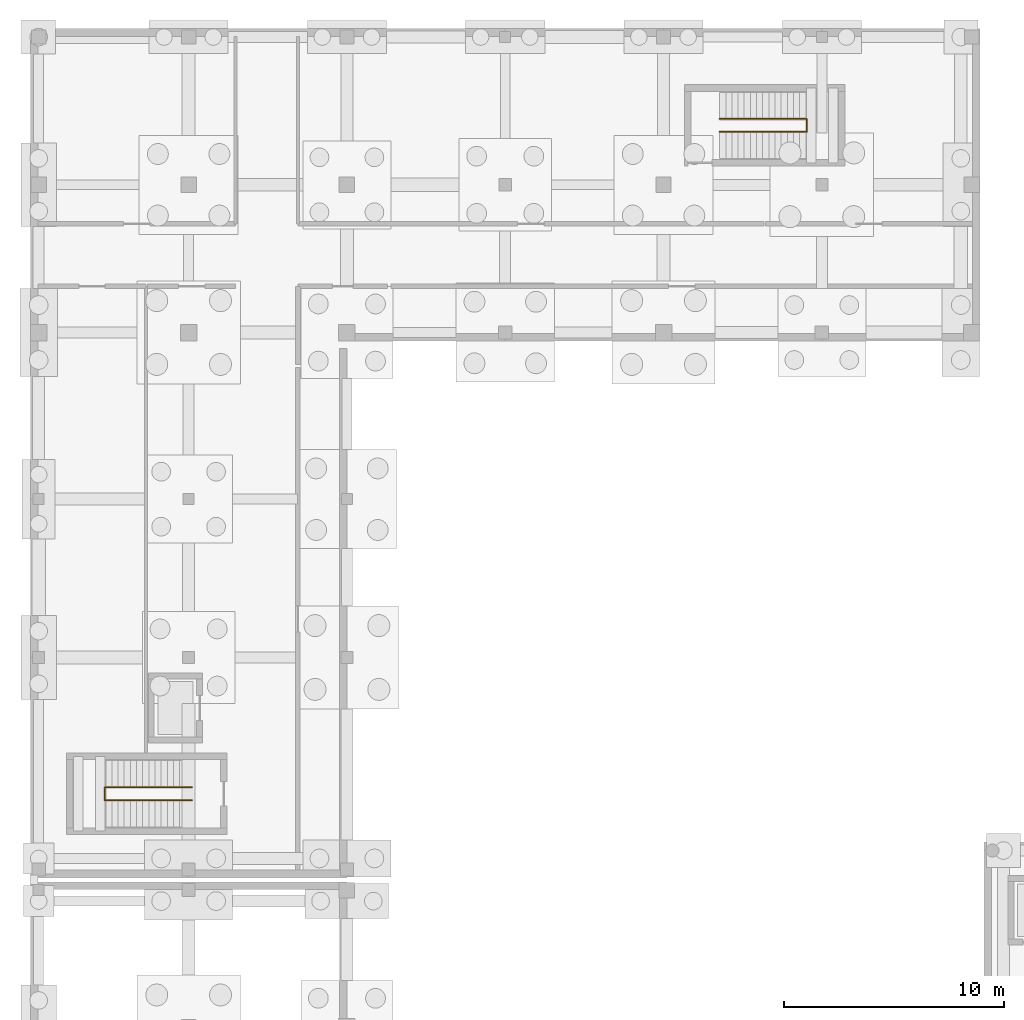
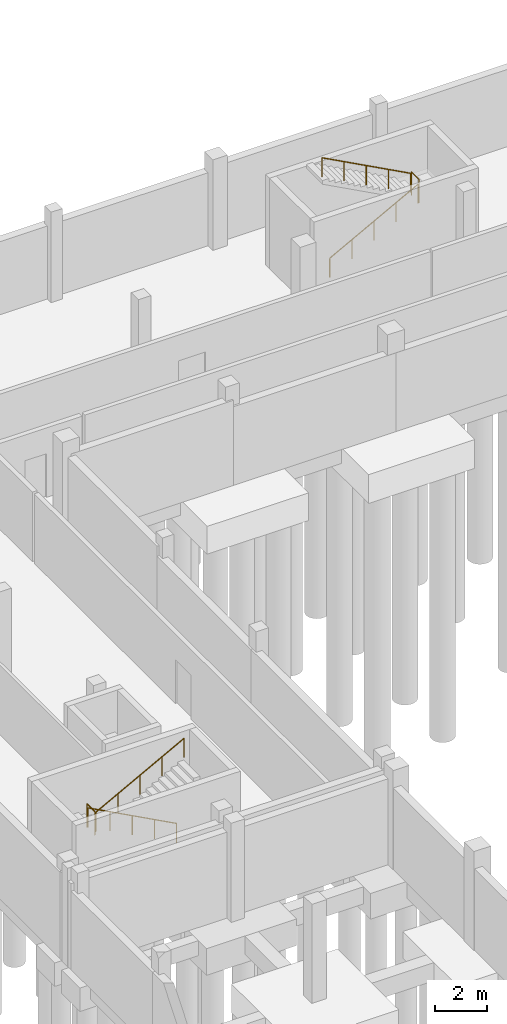
# One storey, part 38 of 41: 6 railings.
"""IFC4 building model written with IfcOpenShell, lengths in metres."""

from ifc_helpers import new_model, si_unit, direction, frame, origin, origin_2d, place, context, subcontext, project, spatial, circle, extrude, material, type_object, element, save


model = new_model("IFC4")

# Units and contexts
model_context = context("Model", 3, precision=1e-05, world=origin(), true_north=direction((0.0, 1.0)))
body_context = subcontext(model_context, "Body", "Model", "MODEL_VIEW")
ifc_project = project(units=[si_unit("LENGTHUNIT", "METRE"), si_unit("AREAUNIT", "SQUARE_METRE"), si_unit("VOLUMEUNIT", "CUBIC_METRE"), si_unit("PLANEANGLEUNIT", "RADIAN"), si_unit("MASSUNIT", "GRAM", prefix="KILO")], contexts=[model_context])

# Site, building, storey
site_placement = place(None, origin())
site = spatial("IfcSite", under=ifc_project, at=site_placement, CompositionType="ELEMENT")
building_placement = place(site_placement, origin())
building = spatial("IfcBuilding", under=site, at=building_placement, Name="Vardoun Plaza Health Centre", CompositionType="ELEMENT")
storey_placement = place(building_placement, frame((0.0, 0.0, -4.5)))
storey = spatial("IfcBuildingStorey", under=building, at=storey_placement, Name="B1", CompositionType="ELEMENT", Elevation=-4.5)

# Railings
ifc_material_1 = material(Name="Painted Steel S275JR Stair-Well Guardrail", Category="steel")
railing_type_1 = type_object("IfcRailingType", Name="GR-04", PredefinedType="GUARDRAIL", material=ifc_material_1)
railing_1_placement = place(storey_placement, frame((7.889892578125, 80.205078125, 2.25)))
element("IfcRailing", 1, at=railing_1_placement, inside=storey, type_object=railing_type_1, Name="Stair ST-C3-B1 Mid-Landing Well Guard", PredefinedType="GUARDRAIL", context=body_context, shape_type="SweptSolid", body=[
    extrude(circle(Radius=0.02392578125, at=origin_2d()), frame((0.0, 0.0, 1.09619140625), z_axis=(0.0, 1.0, 0.0), x_axis=(-1.0, 0.0, 0.0)), (0.0, 0.0, 1.0), 0.58984375),
    extrude(circle(Radius=0.02099609375, at=origin_2d()), origin(), (0.0, 0.0, 1.0), 1.072021484375),
    extrude(circle(Radius=0.02099609375, at=origin_2d()), frame((0.0, 0.58984375, 0.0)), (0.0, 0.0, 1.0), 1.072021484375),
])
railing_2_placement = place(storey_placement, frame((39.81005859375, 110.60498046875, 2.25)))
element("IfcRailing", 2, at=railing_2_placement, inside=storey, type_object=railing_type_1, Name="Stair ST-C4-B1 Mid-Landing Well Guard", PredefinedType="GUARDRAIL", context=body_context, shape_type="SweptSolid", body=[
    extrude(circle(Radius=0.02392578125, at=origin_2d()), frame((0.0, 0.0, 1.09619140625), z_axis=(0.0, 1.0, 0.0), x_axis=(-1.0, 0.0, 0.0)), (0.0, 0.0, 1.0), 0.590087890625),
    extrude(circle(Radius=0.02099609375, at=origin_2d()), origin(), (0.0, 0.0, 1.0), 1.072021484375),
    extrude(circle(Radius=0.02099609375, at=origin_2d()), frame((0.0, 0.590087890625, 0.0)), (0.0, 0.0, 1.0), 1.072021484375),
])
ifc_material_2 = material(Name="Brushed Stainless Steel Grade 316L", Category="steel")
railing_type_2 = type_object("IfcRailingType", Name="HR-01", PredefinedType="HANDRAIL", material=ifc_material_2)
railing_3_placement = place(storey_placement, frame((11.85009765625, 80.794921875, 0.14990234375)))
element("IfcRailing", 3, at=railing_3_placement, inside=storey, type_object=railing_type_2, Name="Stair ST-C3-B1 Flight 1 Handrail", PredefinedType="HANDRAIL", context=body_context, shape_type="SweptSolid", body=[
    extrude(circle(Radius=0.02392578125, at=origin_2d()), frame((0.0, 0.0, 0.89599609375), z_axis=(-0.881479153919, 0.0, 0.472222935917), x_axis=(0.0, -1.0, 0.0)), (0.0, 0.0, 1.0), 4.447265625),
    extrude(circle(Radius=0.02099609375, at=origin_2d()), origin(), (0.0, 0.0, 1.0), 0.871826171875),
    extrude(circle(Radius=0.02099609375, at=origin_2d()), frame((-0.97998046875, 0.0, 0.52490234375)), (0.0, 0.0, 1.0), 0.871826171875),
    extrude(circle(Radius=0.02099609375, at=origin_2d()), frame((-1.9599609375, 0.0, 1.050048828125)), (0.0, 0.0, 1.0), 0.871826171875),
    extrude(circle(Radius=0.02099609375, at=origin_2d()), frame((-2.940185546875, 0.0, 1.5751953125)), (0.0, 0.0, 1.0), 0.871826171875),
    extrude(circle(Radius=0.02099609375, at=origin_2d()), frame((-3.920166015625, 0.0, 2.10009765625)), (0.0, 0.0, 1.0), 0.871826171875),
])
railing_4_placement = place(storey_placement, frame((7.929931640625, 80.205078125, 2.39990234375)))
element("IfcRailing", 4, at=railing_4_placement, inside=storey, type_object=railing_type_2, Name="Stair ST-C3-B1 Flight 2 Handrail", PredefinedType="HANDRAIL", context=body_context, shape_type="SweptSolid", body=[
    extrude(circle(Radius=0.02392578125, at=origin_2d()), frame((0.0, 0.0, 0.89599609375), z_axis=(0.881479153919, 0.0, 0.472222935917), x_axis=(0.0, 1.0, 0.0)), (0.0, 0.0, 1.0), 4.447265625),
    extrude(circle(Radius=0.02099609375, at=origin_2d()), origin(), (0.0, 0.0, 1.0), 0.871826171875),
    extrude(circle(Radius=0.02099609375, at=origin_2d()), frame((0.97998046875, 0.0, 0.52490234375)), (0.0, 0.0, 1.0), 0.871826171875),
    extrude(circle(Radius=0.02099609375, at=origin_2d()), frame((1.9599609375, 0.0, 1.050048828125)), (0.0, 0.0, 1.0), 0.871826171875),
    extrude(circle(Radius=0.02099609375, at=origin_2d()), frame((2.940185546875, 0.0, 1.5751953125)), (0.0, 0.0, 1.0), 0.871826171875),
    extrude(circle(Radius=0.02099609375, at=origin_2d()), frame((3.920166015625, 0.0, 2.10009765625)), (0.0, 0.0, 1.0), 0.871826171875),
])
railing_5_placement = place(storey_placement, frame((35.85009765625, 110.60498046875, 0.14990234375)))
element("IfcRailing", 5, at=railing_5_placement, inside=storey, type_object=railing_type_2, Name="Stair ST-C4-B1 Flight 1 Handrail", PredefinedType="HANDRAIL", context=body_context, shape_type="SweptSolid", body=[
    extrude(circle(Radius=0.02392578125, at=origin_2d()), frame((0.0, 0.0, 0.89599609375), z_axis=(0.881466911329, 0.0, 0.472245787945), x_axis=(0.0, 1.0, 0.0)), (0.0, 0.0, 1.0), 4.447021484375),
    extrude(circle(Radius=0.02099609375, at=origin_2d()), origin(), (0.0, 0.0, 1.0), 0.871826171875),
    extrude(circle(Radius=0.02099609375, at=origin_2d()), frame((0.97998046875, 0.0, 0.52490234375)), (0.0, 0.0, 1.0), 0.871826171875),
    extrude(circle(Radius=0.02099609375, at=origin_2d()), frame((1.9599609375, 0.0, 1.050048828125)), (0.0, 0.0, 1.0), 0.871826171875),
    extrude(circle(Radius=0.02099609375, at=origin_2d()), frame((2.93994140625, 0.0, 1.5751953125)), (0.0, 0.0, 1.0), 0.871826171875),
    extrude(circle(Radius=0.02099609375, at=origin_2d()), frame((3.919921875, 0.0, 2.10009765625)), (0.0, 0.0, 1.0), 0.871826171875),
])
railing_6_placement = place(storey_placement, frame((39.77001953125, 111.195068359375, 2.39990234375)))
element("IfcRailing", 6, at=railing_6_placement, inside=storey, type_object=railing_type_2, Name="Stair ST-C4-B1 Flight 2 Handrail", PredefinedType="HANDRAIL", context=body_context, shape_type="SweptSolid", body=[
    extrude(circle(Radius=0.02392578125, at=origin_2d()), frame((0.0, 0.0, 0.89599609375), z_axis=(-0.881466911329, 0.0, 0.472245787945), x_axis=(0.0, -1.0, 0.0)), (0.0, 0.0, 1.0), 4.447021484375),
    extrude(circle(Radius=0.02099609375, at=origin_2d()), origin(), (0.0, 0.0, 1.0), 0.871826171875),
    extrude(circle(Radius=0.02099609375, at=origin_2d()), frame((-0.97998046875, 0.0, 0.52490234375)), (0.0, 0.0, 1.0), 0.871826171875),
    extrude(circle(Radius=0.02099609375, at=origin_2d()), frame((-1.9599609375, 0.0, 1.050048828125)), (0.0, 0.0, 1.0), 0.871826171875),
    extrude(circle(Radius=0.02099609375, at=origin_2d()), frame((-2.93994140625, 0.0, 1.5751953125)), (0.0, 0.0, 1.0), 0.871826171875),
    extrude(circle(Radius=0.02099609375, at=origin_2d()), frame((-3.919921875, 0.0, 2.10009765625)), (0.0, 0.0, 1.0), 0.871826171875),
])

save(model, "model.ifc")
